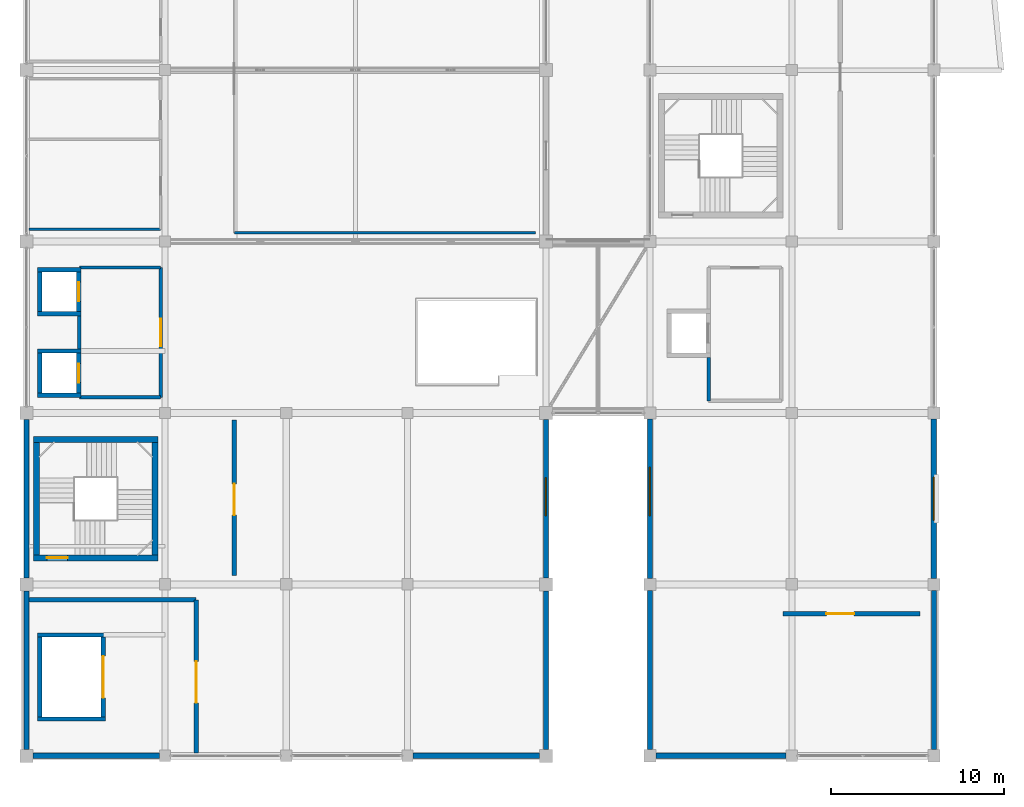
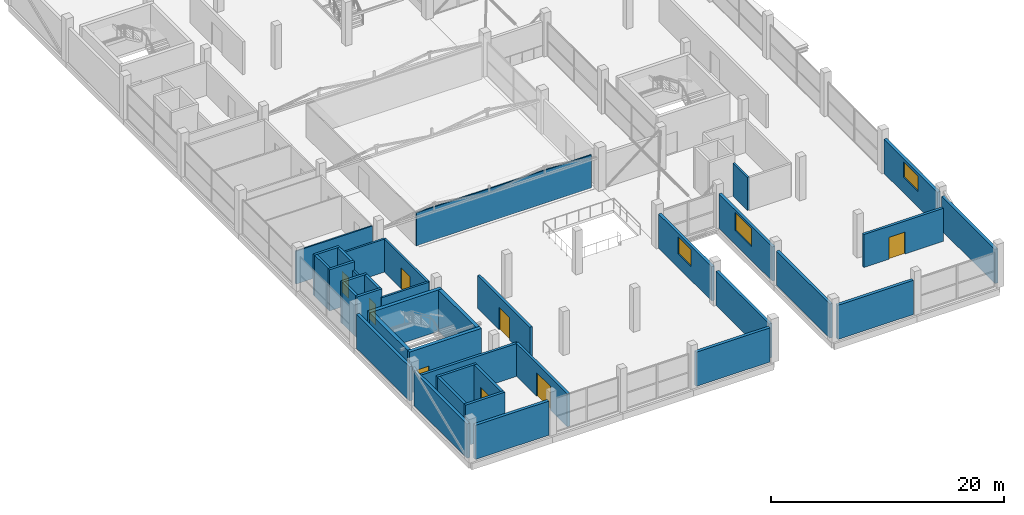
# One storey, part 55 of 69: 38 walls, 8 doors, 3 windows, 11 openings.
"""IFC4 building model written with IfcOpenShell, lengths in metres."""

from ifc_helpers import new_model, si_unit, direction, frame, frame_2d, origin, place, context, subcontext, project, spatial, rectangle, extrude, material, layer, layer_set, type_object, element, fill, save


model = new_model("IFC4")

# Units and contexts
model_context = context("Model", 3, precision=1e-05, world=origin(), true_north=direction((0.0, 1.0)))
body_context = subcontext(model_context, "Body", "Model", "MODEL_VIEW")
ifc_project = project(units=[si_unit("LENGTHUNIT", "METRE"), si_unit("AREAUNIT", "SQUARE_METRE"), si_unit("VOLUMEUNIT", "CUBIC_METRE"), si_unit("PLANEANGLEUNIT", "RADIAN"), si_unit("MASSUNIT", "GRAM", prefix="KILO")], contexts=[model_context])

# Site, building, storey
site_placement = place(None, origin())
site = spatial("IfcSite", under=ifc_project, at=site_placement, CompositionType="ELEMENT")
building_placement = place(site_placement, origin())
building = spatial("IfcBuilding", under=site, at=building_placement, Name="Sillaruma Civic Art Gallery", CompositionType="ELEMENT")
storey_placement = place(building_placement, frame((0.0, 0.0, 42.330078125)))
storey = spatial("IfcBuildingStorey", under=building, at=storey_placement, Name="L08", CompositionType="ELEMENT", Elevation=42.330078125)

# Wall, opening, door
ifc_material_1 = material(Name="Concrete H40 (40 MPa)", Category="concrete")
ifc_layer_1 = layer(ifc_material_1, 0.35009765625, Name="Concrete H40 (40 MPa)")
ifc_layer_set_1 = layer_set([ifc_layer_1], Name="Concrete H40 (40 MPa)")
wall_type_1 = type_object("IfcWallType", Name="WAL-CORE-350", PredefinedType="SHEAR", material=ifc_layer_set_1)
wall_1_placement = place(storey_placement, frame((62.409912109375, 31.235107421875, 0.0), z_axis=(0.0, 0.0, 1.0), x_axis=(1.0, 0.0, 0.0)))
wall_1 = element("IfcWall", 1, at=wall_1_placement, inside=storey, type_object=wall_type_1, Name="Stair Core Shear Wall W-CORE-350 (ST-03:L08:S)", PredefinedType="SHEAR", context=body_context, shape_type="SweptSolid", body=[
    extrude(rectangle(XDim=7.18017578125, YDim=0.35009765625, at=frame_2d((3.590087890625, 0.0))), origin(), (0.0, 0.0, 1.0), 4.33984375),
])
opening_1_placement = place(wall_1_placement, frame((0.77001953125, 0.0, 0.0)))
opening_1 = element("IfcOpeningElement", 2, at=opening_1_placement, cuts=wall_1, Name="Opening D-STAIR", PredefinedType="OPENING", context=body_context, shape_type="SweptSolid", body=[
    extrude(rectangle(XDim=1.199951171875, YDim=2.199951171875, at=frame_2d((0.60009765625, 1.10009765625))), frame((0.0, 0.18505859375, 0.0), z_axis=(0.0, -1.0, 0.0), x_axis=(1.0, 0.0, 0.0)), (0.0, 0.0, 1.0), 0.3701171875),
])
ifc_material_2 = material(Name="Galvanised Steel ASTM A653 Gr.50", Category="steel")
door_type_1 = type_object("IfcDoorType", Name="DOR-STAIR-120", OperationType="NOTDEFINED", PredefinedType="DOOR", material=ifc_material_2)
door_1_placement = place(opening_1_placement, origin())
door_1 = element("IfcDoor", 3, at=door_1_placement, inside=storey, type_object=door_type_1, Name="Protected Stair Fire Door (ST-03:L08)", OperationType="SINGLE_SWING_RIGHT", OverallHeight=2.199951171875, OverallWidth=1.199951171875, PredefinedType="DOOR", context=body_context, shape_type="SweptSolid", body=[
    extrude(rectangle(XDim=1.199951171875, YDim=2.199951171875, at=frame_2d((0.60009765625, 1.10009765625))), frame((0.0, 0.02490234375, 0.0), z_axis=(0.0, -1.0, 0.0), x_axis=(1.0, 0.0, 0.0)), (0.0, 0.0, 1.0), 0.050048828125),
])
fill(opening_1, door_1)

# Walls
wall_2_placement = place(storey_placement, frame((62.409912109375, 38.06494140625, 0.0), z_axis=(0.0, 0.0, 1.0), x_axis=(1.0, 0.0, 0.0)))
element("IfcWall", 4, at=wall_2_placement, inside=storey, type_object=wall_type_1, Name="Stair Core Shear Wall W-CORE-350 (ST-03:L08:N)", PredefinedType="SHEAR", context=body_context, shape_type="SweptSolid", body=[
    extrude(rectangle(XDim=7.18017578125, YDim=0.35009765625, at=frame_2d((3.590087890625, 0.0))), origin(), (0.0, 0.0, 1.0), 4.33984375),
])
for number, where, z_axis, x_axis, name in (
    (5, (62.5849609375, 31.409912109375, 0.0), (0.0, 0.0, 1.0), (0.0, 1.0, 0.0), "Stair Core Shear Wall W-CORE-350 (ST-03:L08:W)"),
    (6, (69.4150390625, 31.409912109375, 0.0), (0.0, 0.0, 1.0), (0.0, 1.0, 0.0), "Stair Core Shear Wall W-CORE-350 (ST-03:L08:E)"),
):
    element("IfcWall", number, at=place(storey_placement, frame(where, z_axis=z_axis, x_axis=x_axis)), inside=storey, type_object=wall_type_1, Name=name, PredefinedType="SHEAR", context=body_context, shape_type="SweptSolid", body=[
        extrude(rectangle(XDim=6.47998046875, YDim=0.35009765625, at=frame_2d((3.239990234375, 0.0))), origin(), (0.0, 0.0, 1.0), 4.33984375),
    ])
ifc_material_3 = material(Name="Concrete H35 (35 MPa)", Category="concrete")
ifc_layer_2 = layer(ifc_material_3, 0.159912109375, Name="Concrete backup", Category="concrete")
ifc_material_4 = material(Name="Mineral Wool Thermal Insulation", Category="insulation")
ifc_layer_3 = layer(ifc_material_4, 0.090087890625, Name="Thermal insulation", Category="insulation")
ifc_material_5 = material(Name="Anodised Zinc-Aluminium Alloy", Category="aluminium")
ifc_layer_4 = layer(ifc_material_5, 0.030029296875, Name="Rainscreen finish", Category="aluminium")
ifc_layer_set_2 = layer_set([ifc_layer_2, ifc_layer_3, ifc_layer_4], Name="W-EXT-280")
wall_type_2 = type_object("IfcWallType", Name="WAL-EXT-280", PredefinedType="SOLIDWALL", material=ifc_layer_set_2)
wall_3_placement = place(storey_placement, frame((92.0, 20.175048828125, 0.0), z_axis=(0.0, 0.0, 1.0), x_axis=(0.0, 1.0, 0.0)))
element("IfcWall", 7, at=wall_3_placement, inside=storey, type_object=wall_type_2, Name="Exterior Wall W-EXT-280 (EW-L08-WBE-1)", PredefinedType="SOLIDWALL", context=body_context, shape_type="SweptSolid", body=[
    extrude(rectangle(XDim=9.14990234375, YDim=0.280029296875, at=frame_2d((4.574951171875, 0.0))), origin(), (0.0, 0.0, 1.0), 3.58984375),
])

# Wall, opening, window
wall_4_placement = place(storey_placement, frame((92.0, 30.074951171875, 0.0), z_axis=(0.0, 0.0, 1.0), x_axis=(0.0, 1.0, 0.0)))
wall_4 = element("IfcWall", 8, at=wall_4_placement, inside=storey, type_object=wall_type_2, Name="Exterior Wall W-EXT-280 (EW-L08-WBE-2)", PredefinedType="SOLIDWALL", context=body_context, shape_type="SweptSolid", body=[
    extrude(rectangle(XDim=9.150146484375, YDim=0.280029296875, at=frame_2d((4.5751953125, 0.0))), origin(), (0.0, 0.0, 1.0), 3.58984375),
])
opening_2_placement = place(wall_4_placement, frame((3.574951171875, 0.0, 1.449951171875)))
opening_2 = element("IfcOpeningElement", 9, at=opening_2_placement, cuts=wall_4, Name="Opening WN-02", PredefinedType="OPENING", context=body_context, shape_type="SweptSolid", body=[
    extrude(rectangle(XDim=2.199951171875, YDim=1.800048828125, at=frame_2d((1.10009765625, 0.89990234375))), frame((0.0, 0.14990234375, 0.0), z_axis=(0.0, -1.0, 0.0), x_axis=(1.0, 0.0, 0.0)), (0.0, 0.0, 1.0), 0.300048828125),
])
ifc_material_6 = material(Name="Thermally Broken Extruded Aluminium 6063-T6", Category="aluminium")
window_type_1 = type_object("IfcWindowType", Name="WIN-W02", PartitioningType="SINGLE_PANEL", PredefinedType="WINDOW", material=ifc_material_6)
window_1_placement = place(opening_2_placement, origin())
window_1 = element("IfcWindow", 10, at=window_1_placement, inside=storey, type_object=window_type_1, Name="Window WN-02 (EW-L08-WBE-2-1)", OverallHeight=1.800048828125, OverallWidth=2.199951171875, PartitioningType="SINGLE_PANEL", PredefinedType="WINDOW", context=body_context, shape_type="SweptSolid", body=[
    extrude(rectangle(XDim=2.199951171875, YDim=1.800048828125, at=frame_2d((1.10009765625, 0.89990234375))), frame((0.0, 0.030029296875, 0.0), z_axis=(0.0, -1.0, 0.0), x_axis=(1.0, 0.0, 0.0)), (0.0, 0.0, 1.0), 0.06005859375),
])
fill(opening_2, window_1)

# Wall
wall_5_placement = place(storey_placement, frame((98.0, 20.14990234375, 0.0), z_axis=(0.0, 0.0, 1.0), x_axis=(0.0, 1.0, 0.0)))
element("IfcWall", 11, at=wall_5_placement, inside=storey, type_object=wall_type_2, Name="Exterior Wall W-EXT-280 (EW-L08-EBW-1)", PredefinedType="SOLIDWALL", context=body_context, shape_type="SweptSolid", body=[
    extrude(rectangle(XDim=9.2001953125, YDim=0.280029296875, at=frame_2d((4.60009765625, 0.0))), origin(), (0.0, 0.0, 1.0), 3.58984375),
])

# Wall, opening, window
wall_6_placement = place(storey_placement, frame((98.0, 30.050048828125, 0.0), z_axis=(0.0, 0.0, 1.0), x_axis=(0.0, 1.0, 0.0)))
wall_6 = element("IfcWall", 12, at=wall_6_placement, inside=storey, type_object=wall_type_2, Name="Exterior Wall W-EXT-280 (EW-L08-EBW-2)", PredefinedType="SOLIDWALL", context=body_context, shape_type="SweptSolid", body=[
    extrude(rectangle(XDim=9.199951171875, YDim=0.280029296875, at=frame_2d((4.60009765625, 0.0))), origin(), (0.0, 0.0, 1.0), 3.58984375),
])
opening_3_placement = place(wall_6_placement, frame((3.60009765625, 0.0, 1.449951171875)))
opening_3 = element("IfcOpeningElement", 13, at=opening_3_placement, cuts=wall_6, Name="Opening WN-09", PredefinedType="OPENING", context=body_context, shape_type="SweptSolid", body=[
    extrude(rectangle(XDim=2.800048828125, YDim=1.89990234375, at=frame_2d((1.39990234375, 0.949951171875))), frame((0.0, 0.14990234375, 0.0), z_axis=(0.0, -1.0, 0.0), x_axis=(1.0, 0.0, 0.0)), (0.0, 0.0, 1.0), 0.300048828125),
])
window_type_2 = type_object("IfcWindowType", Name="WIN-W09", PartitioningType="SINGLE_PANEL", PredefinedType="WINDOW", material=ifc_material_6)
window_2_placement = place(opening_3_placement, origin())
window_2 = element("IfcWindow", 14, at=window_2_placement, inside=storey, type_object=window_type_2, Name="Window WN-09 (EW-L08-EBW-2-1)", OverallHeight=1.89990234375, OverallWidth=2.800048828125, PartitioningType="SINGLE_PANEL", PredefinedType="WINDOW", context=body_context, shape_type="SweptSolid", body=[
    extrude(rectangle(XDim=2.800048828125, YDim=1.89990234375, at=frame_2d((1.39990234375, 0.949951171875))), frame((0.0, 0.030029296875, 0.0), z_axis=(0.0, -1.0, 0.0), x_axis=(1.0, 0.0, 0.0)), (0.0, 0.0, 1.0), 0.06005859375),
])
fill(opening_3, window_2)

# Walls
ifc_layer_5 = layer(ifc_material_3, 0.169921875, Name="Concrete backup", Category="concrete")
ifc_layer_6 = layer(ifc_material_4, 0.090087890625, Name="Thermal insulation", Category="insulation")
ifc_layer_7 = layer(ifc_material_5, 0.030029296875, Name="Rainscreen finish", Category="aluminium")
ifc_layer_set_3 = layer_set([ifc_layer_5, ifc_layer_6, ifc_layer_7], Name="W-EXT-290")
wall_type_3 = type_object("IfcWallType", Name="WAL-EXT-290", PredefinedType="SOLIDWALL", material=ifc_layer_set_3)
wall_7_placement = place(storey_placement, frame((62.0, 20.175048828125, 0.0), z_axis=(0.0, 0.0, 1.0), x_axis=(0.0, 1.0, 0.0)))
element("IfcWall", 15, at=wall_7_placement, inside=storey, type_object=wall_type_3, Name="Exterior Wall W-EXT-290 (EW-L08-WBW-1)", PredefinedType="SOLIDWALL", context=body_context, shape_type="SweptSolid", body=[
    extrude(rectangle(XDim=9.14990234375, YDim=0.2900390625, at=frame_2d((4.574951171875, 0.0))), origin(), (0.0, 0.0, 1.0), 3.58984375),
])
wall_8_placement = place(storey_placement, frame((62.0, 30.074951171875, 0.0), z_axis=(0.0, 0.0, 1.0), x_axis=(0.0, 1.0, 0.0)))
element("IfcWall", 16, at=wall_8_placement, inside=storey, type_object=wall_type_3, Name="Exterior Wall W-EXT-290 (EW-L08-WBW-2)", PredefinedType="SOLIDWALL", context=body_context, shape_type="SweptSolid", body=[
    extrude(rectangle(XDim=9.150146484375, YDim=0.2900390625, at=frame_2d((4.5751953125, 0.0))), origin(), (0.0, 0.0, 1.0), 3.58984375),
])
wall_9_placement = place(storey_placement, frame((114.39990234375, 20.14990234375, 0.0), z_axis=(0.0, 0.0, 1.0), x_axis=(0.0, 1.0, 0.0)))
element("IfcWall", 17, at=wall_9_placement, inside=storey, type_object=wall_type_3, Name="Exterior Wall W-EXT-290 (EW-L08-EBE-1)", PredefinedType="SOLIDWALL", context=body_context, shape_type="SweptSolid", body=[
    extrude(rectangle(XDim=9.2001953125, YDim=0.2900390625, at=frame_2d((4.60009765625, 0.0))), origin(), (0.0, 0.0, 1.0), 3.58984375),
])
ifc_material_7 = material(Name="Precast Concrete H35 (35 MPa)", Category="concrete")
ifc_layer_8 = layer(ifc_material_7, 0.179931640625, Name="Precast backup", Category="concrete")
ifc_layer_9 = layer(ifc_material_4, 0.090087890625, Name="Thermal insulation", Category="insulation")
ifc_material_8 = material(Name="Comanche Granitic Ashlar Stone", Category="masonry")
ifc_layer_10 = layer(ifc_material_8, 0.030029296875, Name="Rainscreen cladding", Category="masonry")
ifc_layer_set_4 = layer_set([ifc_layer_8, ifc_layer_9, ifc_layer_10], Name="W-EXT-300")
wall_type_4 = type_object("IfcWallType", Name="WAL-EXT-300", PredefinedType="SOLIDWALL", material=ifc_layer_set_4)
for number, where, z_axis, x_axis, name in (
    (18, (62.375, 19.800048828125, 0.0), (0.0, 0.0, 1.0), (1.0, 0.0, 0.0), "Exterior Wall W-EXT-300 (EW-L08-WBS-1)"),
    (19, (84.324951171875, 19.800048828125, 0.0), (0.0, 0.0, 1.0), (1.0, 0.0, 0.0), "Exterior Wall W-EXT-300 (EW-L08-WBS-4)"),
):
    element("IfcWall", number, at=place(storey_placement, frame(where, z_axis=z_axis, x_axis=x_axis)), inside=storey, type_object=wall_type_4, Name=name, PredefinedType="SOLIDWALL", context=body_context, shape_type="SweptSolid", body=[
        extrude(rectangle(XDim=7.300048828125, YDim=0.300048828125, at=frame_2d((3.64990234375, 0.0))), origin(), (0.0, 0.0, 1.0), 3.58984375),
    ])

# Wall, opening, window
wall_10_placement = place(storey_placement, frame((114.39990234375, 30.050048828125, 0.0), z_axis=(0.0, 0.0, 1.0), x_axis=(0.0, 1.0, 0.0)))
wall_10 = element("IfcWall", 20, at=wall_10_placement, inside=storey, type_object=wall_type_4, Name="Exterior Wall W-EXT-300 (EW-L08-EBE-2)", PredefinedType="SOLIDWALL", context=body_context, shape_type="SweptSolid", body=[
    extrude(rectangle(XDim=9.199951171875, YDim=0.300048828125, at=frame_2d((4.60009765625, 0.0))), origin(), (0.0, 0.0, 1.0), 3.58984375),
])
opening_4_placement = place(wall_10_placement, frame((3.35009765625, 0.0, 1.64990234375)))
opening_4 = element("IfcOpeningElement", 21, at=opening_4_placement, cuts=wall_10, Name="Opening WN-11", PredefinedType="OPENING", context=body_context, shape_type="SweptSolid", body=[
    extrude(rectangle(XDim=2.5, YDim=1.60009765625, at=frame_2d((1.25, 0.800048828125))), frame((0.0, 0.159912109375, 0.0), z_axis=(0.0, -1.0, 0.0), x_axis=(1.0, 0.0, 0.0)), (0.0, 0.0, 1.0), 0.320068359375),
])
window_type_3 = type_object("IfcWindowType", Name="WIN-W11", PartitioningType="SINGLE_PANEL", PredefinedType="WINDOW", material=ifc_material_6)
window_3_placement = place(opening_4_placement, origin())
window_3 = element("IfcWindow", 22, at=window_3_placement, inside=storey, type_object=window_type_3, Name="Window WN-11 (EW-L08-EBE-2-1)", OverallHeight=1.60009765625, OverallWidth=2.5, PartitioningType="SINGLE_PANEL", PredefinedType="WINDOW", context=body_context, shape_type="SweptSolid", body=[
    extrude(rectangle(XDim=2.5, YDim=1.60009765625, at=frame_2d((1.25, 0.800048828125))), frame((0.0, 0.030029296875, 0.0), z_axis=(0.0, -1.0, 0.0), x_axis=(1.0, 0.0, 0.0)), (0.0, 0.0, 1.0), 0.06005859375),
])
fill(opening_4, window_3)

# Walls
wall_11_placement = place(storey_placement, frame((98.35009765625, 19.800048828125, 0.0), z_axis=(0.0, 0.0, 1.0), x_axis=(1.0, 0.0, 0.0)))
element("IfcWall", 23, at=wall_11_placement, inside=storey, type_object=wall_type_4, Name="Exterior Wall W-EXT-300 (EW-L08-EBS-1)", PredefinedType="SOLIDWALL", context=body_context, shape_type="SweptSolid", body=[
    extrude(rectangle(XDim=7.52490234375, YDim=0.300048828125, at=frame_2d((3.762451171875, 0.0))), origin(), (0.0, 0.0, 1.0), 3.58984375),
])
ifc_material_9 = material(Name="Concrete Masonry Unit Grade M15", Category="masonry")
ifc_layer_11 = layer(ifc_material_9, 0.199951171875, Name="Concrete Masonry Unit Grade M15")
ifc_layer_set_5 = layer_set([ifc_layer_11], Name="Concrete Masonry Unit Grade M15")
wall_type_5 = type_object("IfcWallType", Name="WAL-LOBBY-200", PredefinedType="SOLIDWALL", material=ifc_layer_set_5)
for number, where, z_axis, x_axis, name in (
    (24, (65.050048828125, 40.5, 0.0), (0.0, 0.0, 1.0), (1.0, 0.0, 0.0), "Interior Wall W-LOBBY-200 (L08-LLW)"),
    (25, (65.050048828125, 48.0, 0.0), (0.0, 0.0, 1.0), (1.0, 0.0, 0.0), "Interior Wall W-LOBBY-200 (L08-LLW)"),
):
    element("IfcWall", number, at=place(storey_placement, frame(where, z_axis=z_axis, x_axis=x_axis)), inside=storey, type_object=wall_type_5, Name=name, PredefinedType="SOLIDWALL", context=body_context, shape_type="SweptSolid", body=[
        extrude(rectangle(XDim=4.699951171875, YDim=0.199951171875, at=frame_2d((2.35009765625, 0.0))), origin(), (0.0, 0.0, 1.0), 3.4599609375),
    ])
wall_12_placement = place(storey_placement, frame((65.050048828125, 43.300048828125, 0.0), z_axis=(0.0, 0.0, 1.0), x_axis=(0.0, 1.0, 0.0)))
element("IfcWall", 26, at=wall_12_placement, inside=storey, type_object=wall_type_5, Name="Interior Wall W-LOBBY-200 (L08-LLW)", PredefinedType="SOLIDWALL", context=body_context, shape_type="SweptSolid", body=[
    extrude(rectangle(XDim=1.89990234375, YDim=0.199951171875, at=frame_2d((0.949951171875, 0.0))), origin(), (0.0, 0.0, 1.0), 3.4599609375),
])

# Wall, opening, door
wall_13_placement = place(storey_placement, frame((69.75, 40.5, 0.0), z_axis=(0.0, 0.0, 1.0), x_axis=(0.0, 1.0, 0.0)))
wall_13 = element("IfcWall", 27, at=wall_13_placement, inside=storey, type_object=wall_type_5, Name="Interior Wall W-LOBBY-200 (L08-LLW)", PredefinedType="SOLIDWALL", context=body_context, shape_type="SweptSolid", body=[
    extrude(rectangle(XDim=7.5, YDim=0.199951171875, at=frame_2d((3.75, 0.0))), origin(), (0.0, 0.0, 1.0), 3.4599609375),
])
opening_5_placement = place(wall_13_placement, frame((2.949951171875, 0.0, 0.0)))
opening_5 = element("IfcOpeningElement", 28, at=opening_5_placement, cuts=wall_13, Name="Opening D-LOBBY", PredefinedType="OPENING", context=body_context, shape_type="SweptSolid", body=[
    extrude(rectangle(XDim=1.60009765625, YDim=2.199951171875, at=frame_2d((0.800048828125, 1.10009765625))), frame((0.0, 0.10986328125, 0.0), z_axis=(0.0, -1.0, 0.0), x_axis=(1.0, 0.0, 0.0)), (0.0, 0.0, 1.0), 0.219970703125),
])
door_type_2 = type_object("IfcDoorType", Name="DOR-LOBBY-160", OperationType="NOTDEFINED", PredefinedType="DOOR", material=ifc_material_6)
door_2_placement = place(opening_5_placement, origin())
door_2 = element("IfcDoor", 29, at=door_2_placement, inside=storey, type_object=door_type_2, Name="West Lift Lobby Door (D-LOBBY)", OperationType="DOUBLE_DOOR_SINGLE_SWING", OverallHeight=2.199951171875, OverallWidth=1.60009765625, PredefinedType="DOOR", context=body_context, shape_type="SweptSolid", body=[
    extrude(rectangle(XDim=1.60009765625, YDim=2.199951171875, at=frame_2d((0.800048828125, 1.10009765625))), frame((0.0, 0.02490234375, 0.0), z_axis=(0.0, -1.0, 0.0), x_axis=(1.0, 0.0, 0.0)), (0.0, 0.0, 1.0), 0.050048828125),
])
fill(opening_5, door_2)

# Walls
wall_14_placement = place(storey_placement, frame((101.39990234375, 40.300048828125, 0.0), z_axis=(0.0, 0.0, 1.0), x_axis=(0.0, 1.0, 0.0)))
element("IfcWall", 30, at=wall_14_placement, inside=storey, type_object=wall_type_5, Name="Interior Wall W-LOBBY-200 (L08-LLE)", PredefinedType="SOLIDWALL", context=body_context, shape_type="SweptSolid", body=[
    extrude(rectangle(XDim=2.5, YDim=0.199951171875, at=frame_2d((1.25, 0.0))), origin(), (0.0, 0.0, 1.0), 3.4599609375),
])
ifc_material_10 = material(Name="Gypsum Acoustic Board", Category="gypsum")
ifc_layer_12 = layer(ifc_material_10, 0.02490234375, Name="Finish board", Category="gypsum")
ifc_layer_13 = layer(ifc_material_4, 0.080078125, Name="Acoustic core", Category="insulation")
ifc_material_11 = material(Name="Andean Oak Timber", Category="wood")
ifc_layer_14 = layer(ifc_material_11, 0.02490234375, Name="Gallery lining", Category="wood")
ifc_layer_set_6 = layer_set([ifc_layer_12, ifc_layer_13, ifc_layer_14], Name="W-PT-130")
wall_type_6 = type_object("IfcWallType", Name="WAL-PART-130", PredefinedType="PARTITIONING", material=ifc_layer_set_6)
wall_15_placement = place(storey_placement, frame((74.0, 50.0, 0.0), z_axis=(0.0, 0.0, 1.0), x_axis=(1.0, 0.0, 0.0)))
element("IfcWall", 31, at=wall_15_placement, inside=storey, type_object=wall_type_6, Name="Interior Wall W-PT-130 (L08-GAL81)", PredefinedType="PARTITIONING", context=body_context, shape_type="SweptSolid", body=[
    extrude(rectangle(XDim=17.39990234375, YDim=0.1298828125, at=frame_2d((8.699951171875, 0.0))), origin(), (0.0, 0.0, 1.0), 3.4599609375),
])
ifc_layer_15 = layer(ifc_material_10, 0.02490234375, Name="Finish board", Category="gypsum")
ifc_layer_16 = layer(ifc_material_4, 0.090087890625, Name="Acoustic core", Category="insulation")
ifc_layer_17 = layer(ifc_material_11, 0.02490234375, Name="Gallery lining", Category="wood")
ifc_layer_set_7 = layer_set([ifc_layer_15, ifc_layer_16, ifc_layer_17], Name="W-PT-140")
wall_type_7 = type_object("IfcWallType", Name="WAL-PART-140", PredefinedType="PARTITIONING", material=ifc_layer_set_7)
wall_16_placement = place(storey_placement, frame((62.14990234375, 50.199951171875, 0.0), z_axis=(0.0, 0.0, 1.0), x_axis=(1.0, 0.0, 0.0)))
element("IfcWall", 32, at=wall_16_placement, inside=storey, type_object=wall_type_7, Name="Interior Wall W-PT-140 (L08-WC1)", PredefinedType="PARTITIONING", context=body_context, shape_type="SweptSolid", body=[
    extrude(rectangle(XDim=7.60009765625, YDim=0.139892578125, at=frame_2d((3.800048828125, 0.0))), origin(), (0.0, 0.0, 1.0), 3.4599609375),
])
ifc_layer_18 = layer(ifc_material_1, 0.25, Name="Concrete H40 (40 MPa)")
ifc_layer_set_8 = layer_set([ifc_layer_18], Name="Concrete H40 (40 MPa)")
wall_type_8 = type_object("IfcWallType", Name="WAL-SHAFT-250", PredefinedType="SOLIDWALL", material=ifc_layer_set_8)
for number, where, z_axis, x_axis, name in (
    (33, (62.64990234375, 40.625, 0.0), (0.0, 0.0, 1.0), (1.0, 0.0, 0.0), "Lift Shaft Wall W-SHAFT-250 (PL-01:L08:S)"),
    (34, (62.64990234375, 43.175048828125, 0.0), (0.0, 0.0, 1.0), (1.0, 0.0, 0.0), "Lift Shaft Wall W-SHAFT-250 (PL-01:L08:N)"),
):
    element("IfcWall", number, at=place(storey_placement, frame(where, z_axis=z_axis, x_axis=x_axis)), inside=storey, type_object=wall_type_8, Name=name, PredefinedType="SOLIDWALL", context=body_context, shape_type="SweptSolid", body=[
        extrude(rectangle(XDim=2.5, YDim=0.25, at=frame_2d((1.25, 0.0))), origin(), (0.0, 0.0, 1.0), 4.31982421875),
    ])
wall_17_placement = place(storey_placement, frame((62.77490234375, 40.75, 0.0), z_axis=(0.0, 0.0, 1.0), x_axis=(0.0, 1.0, 0.0)))
element("IfcWall", 35, at=wall_17_placement, inside=storey, type_object=wall_type_8, Name="Lift Shaft Wall W-SHAFT-250 (PL-01:L08:W)", PredefinedType="SOLIDWALL", context=body_context, shape_type="SweptSolid", body=[
    extrude(rectangle(XDim=2.300048828125, YDim=0.25, at=frame_2d((1.14990234375, 0.0))), origin(), (0.0, 0.0, 1.0), 4.31982421875),
])

# Wall, opening, door
wall_18_placement = place(storey_placement, frame((65.02490234375, 40.75, 0.0), z_axis=(0.0, 0.0, 1.0), x_axis=(0.0, 1.0, 0.0)))
wall_18 = element("IfcWall", 36, at=wall_18_placement, inside=storey, type_object=wall_type_8, Name="Lift Shaft Wall W-SHAFT-250 (PL-01:L08:E)", PredefinedType="SOLIDWALL", context=body_context, shape_type="SweptSolid", body=[
    extrude(rectangle(XDim=2.300048828125, YDim=0.25, at=frame_2d((1.14990234375, 0.0))), origin(), (0.0, 0.0, 1.0), 4.31982421875),
])
opening_6_placement = place(wall_18_placement, frame((0.60009765625, 0.0, 0.0)))
opening_6 = element("IfcOpeningElement", 37, at=opening_6_placement, cuts=wall_18, Name="Opening LD-01", PredefinedType="OPENING", context=body_context, shape_type="SweptSolid", body=[
    extrude(rectangle(XDim=1.10009765625, YDim=2.199951171875, at=frame_2d((0.550048828125, 1.10009765625))), frame((0.0, 0.135009765625, 0.0), z_axis=(0.0, -1.0, 0.0), x_axis=(1.0, 0.0, 0.0)), (0.0, 0.0, 1.0), 0.27001953125),
])
door_type_3 = type_object("IfcDoorType", Name="DOR-LD-01", OperationType="NOTDEFINED", PredefinedType="DOOR", material=ifc_material_2)
door_3_placement = place(opening_6_placement, origin())
door_3 = element("IfcDoor", 38, at=door_3_placement, inside=storey, type_object=door_type_3, Name="Lift Sliding Landing Door LD-01 (PL-01:L08)", OperationType="DOUBLE_DOOR_SLIDING", OverallHeight=2.199951171875, OverallWidth=1.10009765625, PredefinedType="DOOR", context=body_context, shape_type="SweptSolid", body=[
    extrude(rectangle(XDim=1.10009765625, YDim=2.199951171875, at=frame_2d((0.550048828125, 1.10009765625))), frame((0.0, 0.02490234375, 0.0), z_axis=(0.0, -1.0, 0.0), x_axis=(1.0, 0.0, 0.0)), (0.0, 0.0, 1.0), 0.050048828125),
])
fill(opening_6, door_3)

# Walls
for number, where, z_axis, x_axis, name in (
    (39, (62.64990234375, 45.324951171875, 0.0), (0.0, 0.0, 1.0), (1.0, 0.0, 0.0), "Lift Shaft Wall W-SHAFT-250 (PL-02:L08:S)"),
    (40, (62.64990234375, 47.875, 0.0), (0.0, 0.0, 1.0), (1.0, 0.0, 0.0), "Lift Shaft Wall W-SHAFT-250 (PL-02:L08:N)"),
):
    element("IfcWall", number, at=place(storey_placement, frame(where, z_axis=z_axis, x_axis=x_axis)), inside=storey, type_object=wall_type_8, Name=name, PredefinedType="SOLIDWALL", context=body_context, shape_type="SweptSolid", body=[
        extrude(rectangle(XDim=2.5, YDim=0.25, at=frame_2d((1.25, 0.0))), origin(), (0.0, 0.0, 1.0), 4.31982421875),
    ])
wall_19_placement = place(storey_placement, frame((62.77490234375, 45.449951171875, 0.0), z_axis=(0.0, 0.0, 1.0), x_axis=(0.0, 1.0, 0.0)))
element("IfcWall", 41, at=wall_19_placement, inside=storey, type_object=wall_type_8, Name="Lift Shaft Wall W-SHAFT-250 (PL-02:L08:W)", PredefinedType="SOLIDWALL", context=body_context, shape_type="SweptSolid", body=[
    extrude(rectangle(XDim=2.300048828125, YDim=0.25, at=frame_2d((1.14990234375, 0.0))), origin(), (0.0, 0.0, 1.0), 4.31982421875),
])

# Wall, opening, door
wall_20_placement = place(storey_placement, frame((65.02490234375, 45.449951171875, 0.0), z_axis=(0.0, 0.0, 1.0), x_axis=(0.0, 1.0, 0.0)))
wall_20 = element("IfcWall", 42, at=wall_20_placement, inside=storey, type_object=wall_type_8, Name="Lift Shaft Wall W-SHAFT-250 (PL-02:L08:E)", PredefinedType="SOLIDWALL", context=body_context, shape_type="SweptSolid", body=[
    extrude(rectangle(XDim=2.300048828125, YDim=0.25, at=frame_2d((1.14990234375, 0.0))), origin(), (0.0, 0.0, 1.0), 4.31982421875),
])
opening_7_placement = place(wall_20_placement, frame((0.60009765625, 0.0, 0.0)))
opening_7 = element("IfcOpeningElement", 43, at=opening_7_placement, cuts=wall_20, Name="Opening LD-01", PredefinedType="OPENING", context=body_context, shape_type="SweptSolid", body=[
    extrude(rectangle(XDim=1.10009765625, YDim=2.199951171875, at=frame_2d((0.550048828125, 1.10009765625))), frame((0.0, 0.135009765625, 0.0), z_axis=(0.0, -1.0, 0.0), x_axis=(1.0, 0.0, 0.0)), (0.0, 0.0, 1.0), 0.27001953125),
])
door_4_placement = place(opening_7_placement, origin())
door_4 = element("IfcDoor", 44, at=door_4_placement, inside=storey, type_object=door_type_3, Name="Lift Sliding Landing Door LD-01 (PL-02:L08)", OperationType="DOUBLE_DOOR_SLIDING", OverallHeight=2.199951171875, OverallWidth=1.10009765625, PredefinedType="DOOR", context=body_context, shape_type="SweptSolid", body=[
    extrude(rectangle(XDim=1.10009765625, YDim=2.199951171875, at=frame_2d((0.550048828125, 1.10009765625))), frame((0.0, 0.02490234375, 0.0), z_axis=(0.0, -1.0, 0.0), x_axis=(1.0, 0.0, 0.0)), (0.0, 0.0, 1.0), 0.050048828125),
])
fill(opening_7, door_4)

# Walls
for number, where, z_axis, x_axis, name in (
    (45, (62.64990234375, 21.925048828125, 0.0), (0.0, 0.0, 1.0), (1.0, 0.0, 0.0), "Lift Shaft Wall W-SHAFT-250 (GL-01:L08:S)"),
    (46, (62.64990234375, 26.77490234375, 0.0), (0.0, 0.0, 1.0), (1.0, 0.0, 0.0), "Lift Shaft Wall W-SHAFT-250 (GL-01:L08:N)"),
):
    element("IfcWall", number, at=place(storey_placement, frame(where, z_axis=z_axis, x_axis=x_axis)), inside=storey, type_object=wall_type_8, Name=name, PredefinedType="SOLIDWALL", context=body_context, shape_type="SweptSolid", body=[
        extrude(rectangle(XDim=3.900146484375, YDim=0.25, at=frame_2d((1.9501953125, 0.0))), origin(), (0.0, 0.0, 1.0), 4.31982421875),
    ])
wall_21_placement = place(storey_placement, frame((62.77490234375, 22.050048828125, 0.0), z_axis=(0.0, 0.0, 1.0), x_axis=(0.0, 1.0, 0.0)))
element("IfcWall", 47, at=wall_21_placement, inside=storey, type_object=wall_type_8, Name="Lift Shaft Wall W-SHAFT-250 (GL-01:L08:W)", PredefinedType="SOLIDWALL", context=body_context, shape_type="SweptSolid", body=[
    extrude(rectangle(XDim=4.599853515625, YDim=0.25, at=frame_2d((2.2998046875, 0.0))), origin(), (0.0, 0.0, 1.0), 4.31982421875),
])

# Wall, opening, door
wall_22_placement = place(storey_placement, frame((66.425048828125, 22.050048828125, 0.0), z_axis=(0.0, 0.0, 1.0), x_axis=(0.0, 1.0, 0.0)))
wall_22 = element("IfcWall", 48, at=wall_22_placement, inside=storey, type_object=wall_type_8, Name="Lift Shaft Wall W-SHAFT-250 (GL-01:L08:E)", PredefinedType="SOLIDWALL", context=body_context, shape_type="SweptSolid", body=[
    extrude(rectangle(XDim=4.599853515625, YDim=0.25, at=frame_2d((2.2998046875, 0.0))), origin(), (0.0, 0.0, 1.0), 4.31982421875),
])
opening_8_placement = place(wall_22_placement, frame((1.10009765625, 0.0, 0.0)))
opening_8 = element("IfcOpeningElement", 49, at=opening_8_placement, cuts=wall_22, Name="Opening LD-03", PredefinedType="OPENING", context=body_context, shape_type="SweptSolid", body=[
    extrude(rectangle(XDim=2.39990234375, YDim=2.64990234375, at=frame_2d((1.199951171875, 1.324951171875))), frame((0.0, 0.135009765625, 0.0), z_axis=(0.0, -1.0, 0.0), x_axis=(1.0, 0.0, 0.0)), (0.0, 0.0, 1.0), 0.27001953125),
])
door_type_4 = type_object("IfcDoorType", Name="DOR-LD-03", OperationType="NOTDEFINED", PredefinedType="DOOR", material=ifc_material_2)
door_5_placement = place(opening_8_placement, origin())
door_5 = element("IfcDoor", 50, at=door_5_placement, inside=storey, type_object=door_type_4, Name="Lift Sliding Landing Door LD-03 (GL-01:L08)", OperationType="DOUBLE_DOOR_SLIDING", OverallHeight=2.64990234375, OverallWidth=2.39990234375, PredefinedType="DOOR", context=body_context, shape_type="SweptSolid", body=[
    extrude(rectangle(XDim=2.39990234375, YDim=2.64990234375, at=frame_2d((1.199951171875, 1.324951171875))), frame((0.0, 0.02490234375, 0.0), z_axis=(0.0, -1.0, 0.0), x_axis=(1.0, 0.0, 0.0)), (0.0, 0.0, 1.0), 0.050048828125),
])
fill(opening_8, door_5)

# Wall
ifc_layer_19 = layer(ifc_material_9, 0.2548828125, Name="Concrete Masonry Unit Grade M15")
ifc_layer_set_9 = layer_set([ifc_layer_19], Name="Concrete Masonry Unit Grade M15")
wall_type_9 = type_object("IfcWallType", Name="WAL-STORE-250", PredefinedType="SOLIDWALL", material=ifc_layer_set_9)
wall_23_placement = place(storey_placement, frame((62.14990234375, 28.800048828125, 0.0), z_axis=(0.0, 0.0, 1.0), x_axis=(1.0, 0.0, 0.0)))
element("IfcWall", 51, at=wall_23_placement, inside=storey, type_object=wall_type_9, Name="Interior Wall W-STORE-250 (L08-AIR)", PredefinedType="SOLIDWALL", context=body_context, shape_type="SweptSolid", body=[
    extrude(rectangle(XDim=9.650146484375, YDim=0.2548828125, at=frame_2d((4.8251953125, 0.0))), origin(), (0.0, 0.0, 1.0), 3.4599609375),
])

# Wall, opening, door
wall_24_placement = place(storey_placement, frame((71.800048828125, 19.949951171875, 0.0), z_axis=(0.0, 0.0, 1.0), x_axis=(0.0, 1.0, 0.0)))
wall_24 = element("IfcWall", 52, at=wall_24_placement, inside=storey, type_object=wall_type_9, Name="Interior Wall W-STORE-250 (L08-AIR)", PredefinedType="SOLIDWALL", context=body_context, shape_type="SweptSolid", body=[
    extrude(rectangle(XDim=8.85009765625, YDim=0.2548828125, at=frame_2d((4.425048828125, 0.0))), origin(), (0.0, 0.0, 1.0), 3.4599609375),
])
opening_9_placement = place(wall_24_placement, frame((2.89990234375, 0.0, 0.0)))
opening_9 = element("IfcOpeningElement", 53, at=opening_9_placement, cuts=wall_24, Name="Opening D-STR24", PredefinedType="OPENING", context=body_context, shape_type="SweptSolid", body=[
    extrude(rectangle(XDim=2.39990234375, YDim=2.5, at=frame_2d((1.199951171875, 1.25))), frame((0.0, 0.137451171875, 0.0), z_axis=(0.0, -1.0, 0.0), x_axis=(1.0, 0.0, 0.0)), (0.0, 0.0, 1.0), 0.27490234375),
])
door_type_5 = type_object("IfcDoorType", Name="DOR-STORE-240", OperationType="NOTDEFINED", PredefinedType="DOOR", material=ifc_material_2)
door_6_placement = place(opening_9_placement, origin())
door_6 = element("IfcDoor", 54, at=door_6_placement, inside=storey, type_object=door_type_5, Name="Crate Airlock Door (D-STR24)", OperationType="DOUBLE_DOOR_SINGLE_SWING", OverallHeight=2.5, OverallWidth=2.39990234375, PredefinedType="DOOR", context=body_context, shape_type="SweptSolid", body=[
    extrude(rectangle(XDim=2.39990234375, YDim=2.5, at=frame_2d((1.199951171875, 1.25))), frame((0.0, 0.02490234375, 0.0), z_axis=(0.0, -1.0, 0.0), x_axis=(1.0, 0.0, 0.0)), (0.0, 0.0, 1.0), 0.050048828125),
])
fill(opening_9, door_6)

wall_25_placement = place(storey_placement, frame((74.0, 30.199951171875, 0.0), z_axis=(0.0, 0.0, 1.0), x_axis=(0.0, 1.0, 0.0)))
wall_25 = element("IfcWall", 55, at=wall_25_placement, inside=storey, type_object=wall_type_9, Name="Interior Wall W-STORE-250 (L08-STR81)", PredefinedType="SOLIDWALL", context=body_context, shape_type="SweptSolid", body=[
    extrude(rectangle(XDim=9.0, YDim=0.2548828125, at=frame_2d((4.5, 0.0))), origin(), (0.0, 0.0, 1.0), 3.4599609375),
])
opening_10_placement = place(wall_25_placement, frame((3.5, 0.0, 0.0)))
opening_10 = element("IfcOpeningElement", 56, at=opening_10_placement, cuts=wall_25, Name="Opening D-STR18", PredefinedType="OPENING", context=body_context, shape_type="SweptSolid", body=[
    extrude(rectangle(XDim=1.800048828125, YDim=2.35009765625, at=frame_2d((0.89990234375, 1.175048828125))), frame((0.0, 0.137451171875, 0.0), z_axis=(0.0, -1.0, 0.0), x_axis=(1.0, 0.0, 0.0)), (0.0, 0.0, 1.0), 0.27490234375),
])
door_type_6 = type_object("IfcDoorType", Name="DOR-STORE-180", OperationType="NOTDEFINED", PredefinedType="DOOR", material=ifc_material_2)
door_7_placement = place(opening_10_placement, origin())
door_7 = element("IfcDoor", 57, at=door_7_placement, inside=storey, type_object=door_type_6, Name="West Wing South Collection Art Store Door (D-STR18)", OperationType="DOUBLE_DOOR_SINGLE_SWING", OverallHeight=2.35009765625, OverallWidth=1.800048828125, PredefinedType="DOOR", context=body_context, shape_type="SweptSolid", body=[
    extrude(rectangle(XDim=1.800048828125, YDim=2.35009765625, at=frame_2d((0.89990234375, 1.175048828125))), frame((0.0, 0.02490234375, 0.0), z_axis=(0.0, -1.0, 0.0), x_axis=(1.0, 0.0, 0.0)), (0.0, 0.0, 1.0), 0.050048828125),
])
fill(opening_10, door_7)

wall_26_placement = place(storey_placement, frame((105.699951171875, 28.0, 0.0), z_axis=(0.0, 0.0, 1.0), x_axis=(1.0, 0.0, 0.0)))
wall_26 = element("IfcWall", 58, at=wall_26_placement, inside=storey, type_object=wall_type_9, Name="Interior Wall W-STORE-250 (L08-STR83)", PredefinedType="SOLIDWALL", context=body_context, shape_type="SweptSolid", body=[
    extrude(rectangle(XDim=7.900146484375, YDim=0.2548828125, at=frame_2d((3.9501953125, 0.0))), origin(), (0.0, 0.0, 1.0), 3.4599609375),
])
opening_11_placement = place(wall_26_placement, frame((2.5, 0.0, 0.0)))
opening_11 = element("IfcOpeningElement", 59, at=opening_11_placement, cuts=wall_26, Name="Opening D-STR16", PredefinedType="OPENING", context=body_context, shape_type="SweptSolid", body=[
    extrude(rectangle(XDim=1.60009765625, YDim=2.300048828125, at=frame_2d((0.800048828125, 1.14990234375))), frame((0.0, 0.137451171875, 0.0), z_axis=(0.0, -1.0, 0.0), x_axis=(1.0, 0.0, 0.0)), (0.0, 0.0, 1.0), 0.27490234375),
])
door_type_7 = type_object("IfcDoorType", Name="DOR-STORE-160", OperationType="NOTDEFINED", PredefinedType="DOOR", material=ifc_material_2)
door_8_placement = place(opening_11_placement, origin())
door_8 = element("IfcDoor", 60, at=door_8_placement, inside=storey, type_object=door_type_7, Name="East Wing Photographic Cold Art Store Door (D-STR16)", OperationType="DOUBLE_DOOR_SINGLE_SWING", OverallHeight=2.300048828125, OverallWidth=1.60009765625, PredefinedType="DOOR", context=body_context, shape_type="SweptSolid", body=[
    extrude(rectangle(XDim=1.60009765625, YDim=2.300048828125, at=frame_2d((0.800048828125, 1.14990234375))), frame((0.0, 0.02490234375, 0.0), z_axis=(0.0, -1.0, 0.0), x_axis=(1.0, 0.0, 0.0)), (0.0, 0.0, 1.0), 0.050048828125),
])
fill(opening_11, door_8)

save(model, "model.ifc")
